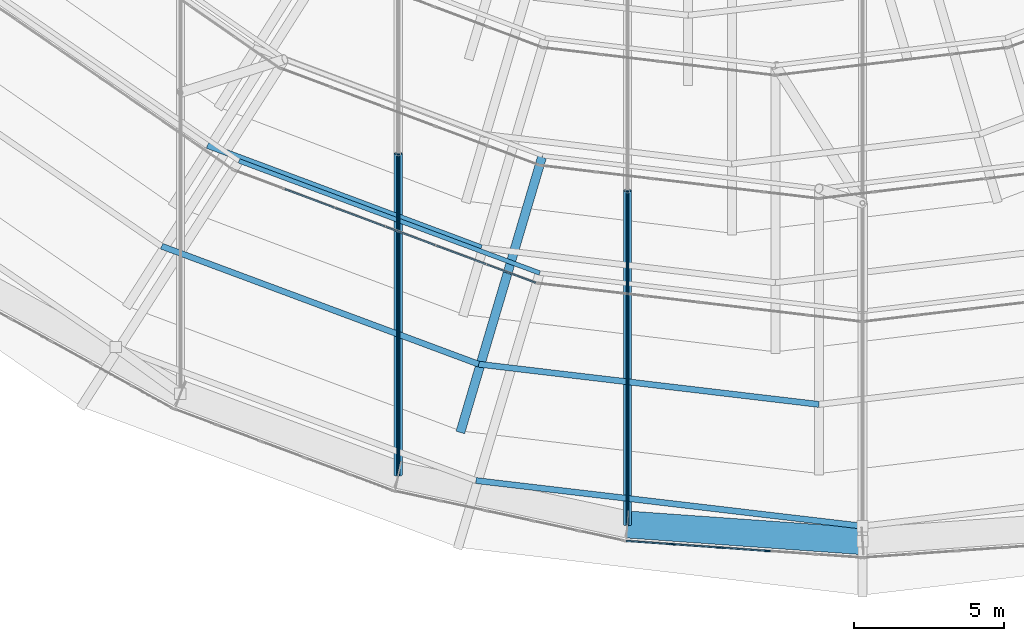
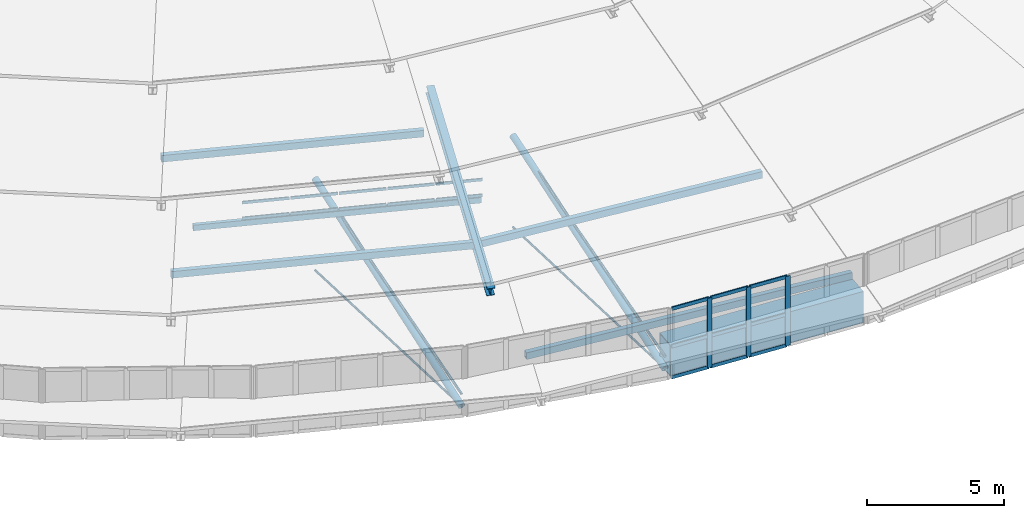
# One storey, part 10 of 173: 34 members, 1 beam, 2 elements without a shape of their own.
"""IFC4 building model written with IfcOpenShell, lengths in metres."""

from ifc_helpers import new_model, si_unit, direction, frame, origin, origin_2d, place, context, subcontext, project, spatial, rectangle, hollow_rectangle, circle, hollow_circle, i_section, extrude, material, material_profile, profile_set, type_object, element, aggregate, save


model = new_model("IFC4")

# Units and contexts
model_context = context("Model", 3, precision=1e-05, world=origin(), true_north=direction((0.0, 1.0)))
body_context = subcontext(model_context, "Body", "Model", "MODEL_VIEW")
ifc_project = project(units=[si_unit("LENGTHUNIT", "METRE"), si_unit("AREAUNIT", "SQUARE_METRE"), si_unit("VOLUMEUNIT", "CUBIC_METRE"), si_unit("PLANEANGLEUNIT", "RADIAN"), si_unit("MASSUNIT", "GRAM", prefix="KILO")], contexts=[model_context])

# Site, building, storey
site_placement = place(None, origin())
site = spatial("IfcSite", under=ifc_project, at=site_placement, CompositionType="ELEMENT")
building_placement = place(site_placement, origin())
building = spatial("IfcBuilding", under=site, at=building_placement, Name="Glasvene Arena", CompositionType="ELEMENT")
storey_placement = place(building_placement, frame((0.0, 0.0, 28.800048828125)))
storey = spatial("IfcBuildingStorey", under=building, at=storey_placement, Name="RF", CompositionType="ELEMENT", Elevation=28.800048828125)

# Beam
ifc_material_1 = material(Name="Steel S355J2", Category="steel")
ifc_material_profile_1 = material_profile(ifc_material_1, hollow_rectangle(XDim=0.89990234375, YDim=1.39990234375, WallThickness=0.034912109375, at=origin_2d()), Name="WBOX 900x1400x35")
ifc_profile_set_1 = profile_set([ifc_material_profile_1], Name="Steel S355J2")
beam_type = type_object("IfcBeamType", Name="BM-RING-BOX1400", PredefinedType="USERDEFINED", material=ifc_profile_set_1)
beam_placement = place(storey_placement, frame((84.17822265625, 28.553955078125, -0.699951171875), z_axis=(0.997501506622, -0.070645200029, 0.0), x_axis=(0.070645200029, 0.997501506622, 0.0)))
element("IfcBeam", 1, at=beam_placement, inside=storey, type_object=beam_type, Name="Compression ring beam chord RB-30", ObjectType="RING BEAM", PredefinedType="USERDEFINED", context=body_context, shape_type="SweptSolid", body=[
    extrude(hollow_rectangle(XDim=0.89990234375, YDim=1.39990234375, WallThickness=0.034912109375, at=origin_2d()), origin(), (0.0, 0.0, 1.0), 7.84130859375),
])

# Curtain wall, members
ifc_material_2 = material(Name="Low-emissivity laminated double glazing", Category="glass")
curtain_wall_type_1 = type_object("IfcCurtainWallType", Name="CW-DRUM-793x310", PredefinedType="USERDEFINED", material=ifc_material_2)
curtain_wall_1_placement = place(storey_placement, frame((84.09228515625, 28.0107421875, 0.0)))
curtain_wall_1 = element("IfcCurtainWall", 2, at=curtain_wall_1_placement, inside=storey, type_object=curtain_wall_type_1, Name="Crown compression-ring fascia curtain wall 30", ObjectType="CURTAIN WALL", PredefinedType="USERDEFINED")
ifc_material_3 = material(Name="Anodised architectural aluminium", Category="aluminium")
ifc_material_profile_2 = material_profile(ifc_material_3, rectangle(XDim=0.050048828125, YDim=0.199951171875, at=origin_2d()), Name="ALU MULLION 50x200")
ifc_profile_set_2 = profile_set([ifc_material_profile_2], Name="Anodised architectural aluminium")
member_type_1 = type_object("IfcMemberType", Name="CW-MUL-180", PredefinedType="MULLION", material=ifc_profile_set_2)
member_1_placement = place(storey_placement, frame((85.673828125, 27.898681640625, -1.380126953125), z_axis=(0.0, 0.0, 1.0), x_axis=(0.07073966092, 0.997494812204, 0.0)))
member_1 = element("IfcMember", 3, at=member_1_placement, type_object=member_type_1, Name="CW-080 mullion 2", PredefinedType="MULLION", context=body_context, shape_type="SweptSolid", body=[
    extrude(rectangle(XDim=0.050048828125, YDim=0.199951171875, at=origin_2d()), origin(), (0.0, 0.0, 1.0), 3.10009765625),
])
member_2_placement = place(storey_placement, frame((87.25537109375, 27.786376953125, -1.380126953125), z_axis=(0.0, 0.0, 1.0), x_axis=(0.07073966092, 0.997494812204, 0.0)))
member_2 = element("IfcMember", 4, at=member_2_placement, type_object=member_type_1, Name="CW-080 mullion 3", PredefinedType="MULLION", context=body_context, shape_type="SweptSolid", body=[
    extrude(rectangle(XDim=0.050048828125, YDim=0.199951171875, at=origin_2d()), origin(), (0.0, 0.0, 1.0), 3.10009765625),
])
member_3_placement = place(storey_placement, frame((88.8369140625, 27.67431640625, -1.380126953125), z_axis=(0.0, 0.0, 1.0), x_axis=(0.07073966092, 0.997494812204, 0.0)))
member_3 = element("IfcMember", 5, at=member_3_placement, type_object=member_type_1, Name="CW-080 mullion 4", PredefinedType="MULLION", context=body_context, shape_type="SweptSolid", body=[
    extrude(rectangle(XDim=0.050048828125, YDim=0.199951171875, at=origin_2d()), origin(), (0.0, 0.0, 1.0), 3.10009765625),
])

curtain_wall_type_2 = type_object("IfcCurtainWallType", Name="CW-PET1-1077x75", PredefinedType="USERDEFINED", material=ifc_material_2)
curtain_wall_2_placement = place(storey_placement, frame((71.074951171875, 40.350830078125, 0.0)))
curtain_wall_2 = element("IfcCurtainWall", 6, at=curtain_wall_2_placement, inside=storey, type_object=curtain_wall_type_2, Name="Petal ring 1-2 clerestory curtain wall 17", ObjectType="CURTAIN WALL", PredefinedType="USERDEFINED")
ifc_material_profile_3 = material_profile(ifc_material_3, rectangle(XDim=0.050048828125, YDim=0.1201171875, at=origin_2d()), Name="ALU TRANSOM 50x120")
ifc_profile_set_3 = profile_set([ifc_material_profile_3], Name="Anodised architectural aluminium")
member_type_2 = type_object("IfcMemberType", Name="CW-TRN-120", PredefinedType="USERDEFINED", material=ifc_profile_set_3)
member_4_placement = place(storey_placement, frame((72.78076171875, 39.71435546875, 2.60498046875), z_axis=(0.936914217078, -0.349559365255, 0.0), x_axis=(0.349559365255, 0.936914217078, 0.0)))
member_4 = element("IfcMember", 7, at=member_4_placement, type_object=member_type_2, Name="CW-085 transom 2.1", ObjectType="TRANSOM", PredefinedType="USERDEFINED", context=body_context, shape_type="SweptSolid", body=[
    extrude(rectangle(XDim=0.050048828125, YDim=0.1201171875, at=origin_2d()), origin(), (0.0, 0.0, 1.0), 1.745361328125),
])
member_5_placement = place(storey_placement, frame((72.78076171875, 39.71435546875, 3.304931640625), z_axis=(0.936914217078, -0.349559365255, 0.0), x_axis=(0.349559365255, 0.936914217078, 0.0)))
member_5 = element("IfcMember", 8, at=member_5_placement, type_object=member_type_2, Name="CW-085 transom 2.2", ObjectType="TRANSOM", PredefinedType="USERDEFINED", context=body_context, shape_type="SweptSolid", body=[
    extrude(rectangle(XDim=0.050048828125, YDim=0.1201171875, at=origin_2d()), origin(), (0.0, 0.0, 1.0), 1.745361328125),
])
member_6_placement = place(storey_placement, frame((74.462890625, 39.086669921875, 2.60498046875), z_axis=(0.936885499629, -0.349636326179, 0.0), x_axis=(0.349636326179, 0.936885499629, 0.0)))
member_6 = element("IfcMember", 9, at=member_6_placement, type_object=member_type_2, Name="CW-085 transom 3.1", ObjectType="TRANSOM", PredefinedType="USERDEFINED", context=body_context, shape_type="SweptSolid", body=[
    extrude(rectangle(XDim=0.050048828125, YDim=0.1201171875, at=origin_2d()), origin(), (0.0, 0.0, 1.0), 1.74560546875),
])
member_7_placement = place(storey_placement, frame((74.462890625, 39.086669921875, 3.304931640625), z_axis=(0.936885499629, -0.349636326179, 0.0), x_axis=(0.349636326179, 0.936885499629, 0.0)))
member_7 = element("IfcMember", 10, at=member_7_placement, type_object=member_type_2, Name="CW-085 transom 3.2", ObjectType="TRANSOM", PredefinedType="USERDEFINED", context=body_context, shape_type="SweptSolid", body=[
    extrude(rectangle(XDim=0.050048828125, YDim=0.1201171875, at=origin_2d()), origin(), (0.0, 0.0, 1.0), 1.74560546875),
])
member_8_placement = place(storey_placement, frame((76.14501953125, 38.458984375, 2.60498046875), z_axis=(0.936885499629, -0.349636326179, 0.0), x_axis=(0.349636326179, 0.936885499629, 0.0)))
member_8 = element("IfcMember", 11, at=member_8_placement, type_object=member_type_2, Name="CW-085 transom 4.1", ObjectType="TRANSOM", PredefinedType="USERDEFINED", context=body_context, shape_type="SweptSolid", body=[
    extrude(rectangle(XDim=0.050048828125, YDim=0.1201171875, at=origin_2d()), origin(), (0.0, 0.0, 1.0), 1.74560546875),
])
member_9_placement = place(storey_placement, frame((76.14501953125, 38.458984375, 3.304931640625), z_axis=(0.936885499629, -0.349636326179, 0.0), x_axis=(0.349636326179, 0.936885499629, 0.0)))
member_9 = element("IfcMember", 12, at=member_9_placement, type_object=member_type_2, Name="CW-085 transom 4.2", ObjectType="TRANSOM", PredefinedType="USERDEFINED", context=body_context, shape_type="SweptSolid", body=[
    extrude(rectangle(XDim=0.050048828125, YDim=0.1201171875, at=origin_2d()), origin(), (0.0, 0.0, 1.0), 1.74560546875),
])
member_10_placement = place(storey_placement, frame((77.827392578125, 37.831298828125, 2.60498046875), z_axis=(0.936868399673, -0.349682143802, 0.0), x_axis=(0.349682143802, 0.936868399673, 0.0)))
member_10 = element("IfcMember", 13, at=member_10_placement, type_object=member_type_2, Name="CW-085 transom 5.1", ObjectType="TRANSOM", PredefinedType="USERDEFINED", context=body_context, shape_type="SweptSolid", body=[
    extrude(rectangle(XDim=0.050048828125, YDim=0.1201171875, at=origin_2d()), origin(), (0.0, 0.0, 1.0), 1.745361328125),
])
member_11_placement = place(storey_placement, frame((77.827392578125, 37.831298828125, 3.304931640625), z_axis=(0.936868399673, -0.349682143802, 0.0), x_axis=(0.349682143802, 0.936868399673, 0.0)))
member_11 = element("IfcMember", 14, at=member_11_placement, type_object=member_type_2, Name="CW-085 transom 5.2", ObjectType="TRANSOM", PredefinedType="USERDEFINED", context=body_context, shape_type="SweptSolid", body=[
    extrude(rectangle(XDim=0.050048828125, YDim=0.1201171875, at=origin_2d()), origin(), (0.0, 0.0, 1.0), 1.745361328125),
])
member_12_placement = place(storey_placement, frame((79.509521484375, 37.20361328125, 2.60498046875), z_axis=(0.936893575356, -0.3496146857, 0.0), x_axis=(0.3496146857, 0.936893575356, 0.0)))
member_12 = element("IfcMember", 15, at=member_12_placement, type_object=member_type_2, Name="CW-085 transom 6.1", ObjectType="TRANSOM", PredefinedType="USERDEFINED", context=body_context, shape_type="SweptSolid", body=[
    extrude(rectangle(XDim=0.050048828125, YDim=0.1201171875, at=origin_2d()), origin(), (0.0, 0.0, 1.0), 1.720703125),
])
member_13_placement = place(storey_placement, frame((79.509521484375, 37.20361328125, 3.304931640625), z_axis=(0.936893575356, -0.3496146857, 0.0), x_axis=(0.3496146857, 0.936893575356, 0.0)))
member_13 = element("IfcMember", 16, at=member_13_placement, type_object=member_type_2, Name="CW-085 transom 6.2", ObjectType="TRANSOM", PredefinedType="USERDEFINED", context=body_context, shape_type="SweptSolid", body=[
    extrude(rectangle(XDim=0.050048828125, YDim=0.1201171875, at=origin_2d()), origin(), (0.0, 0.0, 1.0), 1.720703125),
])
aggregate(curtain_wall_2, [member_4, member_5, member_6, member_7, member_8, member_9, member_10, member_11, member_12, member_13])

# Member
ifc_material_profile_4 = material_profile(ifc_material_3, rectangle(XDim=0.050048828125, YDim=0.14990234375, at=origin_2d()), Name="ALU TRANSOM 50x150")
ifc_profile_set_4 = profile_set([ifc_material_profile_4], Name="Anodised architectural aluminium")
member_type_3 = type_object("IfcMemberType", Name="CW-TRN-150", PredefinedType="USERDEFINED", material=ifc_profile_set_4)
member_14_placement = place(storey_placement, frame((84.14208984375, 28.00732421875, -1.35498046875), z_axis=(0.997491409379, -0.070787627561, 0.0), x_axis=(0.070787627561, 0.997491409379, 0.0)))
member_14 = element("IfcMember", 17, at=member_14_placement, type_object=member_type_3, Name="CW-080 transom 1.1", ObjectType="TRANSOM", PredefinedType="USERDEFINED", context=body_context, shape_type="SweptSolid", body=[
    extrude(rectangle(XDim=0.050048828125, YDim=0.14990234375, at=origin_2d()), origin(), (0.0, 0.0, 1.0), 1.5107421875),
])

member_15_placement = place(storey_placement, frame((84.14208984375, 28.00732421875, 0.02001953125), z_axis=(0.997491409379, -0.070787627561, 0.0), x_axis=(0.070787627561, 0.997491409379, 0.0)))
member_15 = element("IfcMember", 18, at=member_15_placement, type_object=member_type_3, Name="CW-080 transom 1.2", ObjectType="TRANSOM", PredefinedType="USERDEFINED", context=body_context, shape_type="SweptSolid", body=[
    extrude(rectangle(XDim=0.050048828125, YDim=0.14990234375, at=origin_2d()), origin(), (0.0, 0.0, 1.0), 1.5107421875),
])

member_16_placement = place(storey_placement, frame((84.14208984375, 28.00732421875, 1.695068359375), z_axis=(0.997491409379, -0.070787627561, 0.0), x_axis=(0.070787627561, 0.997491409379, 0.0)))
member_16 = element("IfcMember", 19, at=member_16_placement, type_object=member_type_3, Name="CW-080 transom 1.3", ObjectType="TRANSOM", PredefinedType="USERDEFINED", context=body_context, shape_type="SweptSolid", body=[
    extrude(rectangle(XDim=0.050048828125, YDim=0.14990234375, at=origin_2d()), origin(), (0.0, 0.0, 1.0), 1.5107421875),
])

member_17_placement = place(storey_placement, frame((85.69873046875, 27.89697265625, -1.35498046875), z_axis=(0.997494086071, -0.070749899315, 0.0), x_axis=(0.070749899315, 0.997494086071, 0.0)))
member_17 = element("IfcMember", 20, at=member_17_placement, type_object=member_type_3, Name="CW-080 transom 2.1", ObjectType="TRANSOM", PredefinedType="USERDEFINED", context=body_context, shape_type="SweptSolid", body=[
    extrude(rectangle(XDim=0.050048828125, YDim=0.14990234375, at=origin_2d()), origin(), (0.0, 0.0, 1.0), 1.53564453125),
])

member_18_placement = place(storey_placement, frame((85.69873046875, 27.89697265625, 0.02001953125), z_axis=(0.997494086071, -0.070749899315, 0.0), x_axis=(0.070749899315, 0.997494086071, 0.0)))
member_18 = element("IfcMember", 21, at=member_18_placement, type_object=member_type_3, Name="CW-080 transom 2.2", ObjectType="TRANSOM", PredefinedType="USERDEFINED", context=body_context, shape_type="SweptSolid", body=[
    extrude(rectangle(XDim=0.050048828125, YDim=0.14990234375, at=origin_2d()), origin(), (0.0, 0.0, 1.0), 1.53564453125),
])

member_19_placement = place(storey_placement, frame((85.69873046875, 27.89697265625, 1.695068359375), z_axis=(0.997494086071, -0.070749899315, 0.0), x_axis=(0.070749899315, 0.997494086071, 0.0)))
member_19 = element("IfcMember", 22, at=member_19_placement, type_object=member_type_3, Name="CW-080 transom 2.3", ObjectType="TRANSOM", PredefinedType="USERDEFINED", context=body_context, shape_type="SweptSolid", body=[
    extrude(rectangle(XDim=0.050048828125, YDim=0.14990234375, at=origin_2d()), origin(), (0.0, 0.0, 1.0), 1.53564453125),
])

member_20_placement = place(storey_placement, frame((87.2802734375, 27.78466796875, -1.35498046875), z_axis=(0.997494086071, -0.070749899315, 0.0), x_axis=(0.070749899315, 0.997494086071, 0.0)))
member_20 = element("IfcMember", 23, at=member_20_placement, type_object=member_type_3, Name="CW-080 transom 3.1", ObjectType="TRANSOM", PredefinedType="USERDEFINED", context=body_context, shape_type="SweptSolid", body=[
    extrude(rectangle(XDim=0.050048828125, YDim=0.14990234375, at=origin_2d()), origin(), (0.0, 0.0, 1.0), 1.53564453125),
])

member_21_placement = place(storey_placement, frame((87.2802734375, 27.78466796875, 0.02001953125), z_axis=(0.997494086071, -0.070749899315, 0.0), x_axis=(0.070749899315, 0.997494086071, 0.0)))
member_21 = element("IfcMember", 24, at=member_21_placement, type_object=member_type_3, Name="CW-080 transom 3.2", ObjectType="TRANSOM", PredefinedType="USERDEFINED", context=body_context, shape_type="SweptSolid", body=[
    extrude(rectangle(XDim=0.050048828125, YDim=0.14990234375, at=origin_2d()), origin(), (0.0, 0.0, 1.0), 1.53564453125),
])

member_22_placement = place(storey_placement, frame((87.2802734375, 27.78466796875, 1.695068359375), z_axis=(0.997494086071, -0.070749899315, 0.0), x_axis=(0.070749899315, 0.997494086071, 0.0)))
member_22 = element("IfcMember", 25, at=member_22_placement, type_object=member_type_3, Name="CW-080 transom 3.3", ObjectType="TRANSOM", PredefinedType="USERDEFINED", context=body_context, shape_type="SweptSolid", body=[
    extrude(rectangle(XDim=0.050048828125, YDim=0.14990234375, at=origin_2d()), origin(), (0.0, 0.0, 1.0), 1.53564453125),
])

aggregate(curtain_wall_1, [member_1, member_2, member_3, member_14, member_15, member_16, member_17, member_18, member_19, member_20, member_21, member_22])

# Members
ifc_material_4 = material(Name="High-strength steel spiral strand S460", Category="steel")
ifc_material_profile_5 = material_profile(ifc_material_4, circle(Radius=0.052490234375, at=origin_2d()), Name="LCSS D105")
ifc_profile_set_5 = profile_set([ifc_material_profile_5], Name="High-strength steel spiral strand S460")
member_type_4 = type_object("IfcMemberType", Name="MB-CABLE-105", PredefinedType="USERDEFINED", material=ifc_profile_set_5)
member_23_placement = place(storey_placement, frame((84.17822265625, 28.553955078125, -0.780029296875), z_axis=(0.0, 0.963016961831, 0.269440774986), x_axis=(-1.0, 0.0, 0.0)))
element("IfcMember", 26, at=member_23_placement, inside=storey, type_object=member_type_4, Name="Upper lens roof cable NS06-01", ObjectType="ROOF CABLE", PredefinedType="USERDEFINED", context=body_context, shape_type="SweptSolid", body=[
    extrude(circle(Radius=0.052490234375, at=origin_2d()), origin(), (0.0, 0.0, 1.0), 11.538330078125),
])
member_24_placement = place(storey_placement, frame((76.54931640625, 30.202392578125, -0.780029296875), z_axis=(0.0, 0.960283937169, 0.279024658435), x_axis=(-1.0, 0.0, 0.0)))
element("IfcMember", 27, at=member_24_placement, inside=storey, type_object=member_type_4, Name="Upper lens roof cable NS07-01", ObjectType="ROOF CABLE", PredefinedType="USERDEFINED", context=body_context, shape_type="SweptSolid", body=[
    extrude(circle(Radius=0.052490234375, at=origin_2d()), origin(), (0.0, 0.0, 1.0), 11.14208984375),
])
ifc_material_profile_6 = material_profile(ifc_material_4, circle(Radius=0.044921875, at=origin_2d()), Name="LCSS D90")
ifc_profile_set_6 = profile_set([ifc_material_profile_6], Name="High-strength steel spiral strand S460")
member_type_5 = type_object("IfcMemberType", Name="MB-CABLE-90", PredefinedType="USERDEFINED", material=ifc_profile_set_6)
member_25_placement = place(storey_placement, frame((84.17822265625, 28.553955078125, -1.320068359375), z_axis=(0.0, 0.99924122713, -0.0389482991), x_axis=(-1.0, 0.0, 0.0)))
element("IfcMember", 28, at=member_25_placement, inside=storey, type_object=member_type_5, Name="Lower stabilization roof cable NS06-01", ObjectType="ROOF CABLE", PredefinedType="USERDEFINED", context=body_context, shape_type="SweptSolid", body=[
    extrude(circle(Radius=0.044921875, at=origin_2d()), origin(), (0.0, 0.0, 1.0), 11.1201171875),
])
member_26_placement = place(storey_placement, frame((76.54931640625, 30.202392578125, -1.320068359375), z_axis=(0.0, 0.999181723513, -0.040446055391), x_axis=(-1.0, 0.0, 0.0)))
element("IfcMember", 29, at=member_26_placement, inside=storey, type_object=member_type_5, Name="Lower stabilization roof cable NS07-01", ObjectType="ROOF CABLE", PredefinedType="USERDEFINED", context=body_context, shape_type="SweptSolid", body=[
    extrude(circle(Radius=0.044921875, at=origin_2d()), origin(), (0.0, 0.0, 1.0), 10.708251953125),
])
ifc_material_profile_7 = material_profile(ifc_material_1, i_section(OverallWidth=0.300048828125, OverallDepth=0.39990234375, WebThickness=0.013427734375, FlangeThickness=0.02392578125, FilletRadius=0.027099609375, at=origin_2d()), Name="HEB 400")
ifc_profile_set_7 = profile_set([ifc_material_profile_7], Name="Steel S355J2")
member_type_6 = type_object("IfcMemberType", Name="MB-CHORD-HEB400", PredefinedType="CHORD", material=ifc_profile_set_7)
member_27_placement = place(storey_placement, frame((78.63134765625, 31.66748046875, 2.14990234375), z_axis=(0.274770384297, 0.926301022448, 0.257813210922), x_axis=(-0.958710442156, 0.284384050364, 0.0)))
element("IfcMember", 30, at=member_27_placement, inside=storey, type_object=member_type_6, Name="Petal ring 2 radial rib 18", PredefinedType="CHORD", context=body_context, shape_type="SweptSolid", body=[
    extrude(i_section(OverallWidth=0.300048828125, OverallDepth=0.39990234375, WebThickness=0.013427734375, FlangeThickness=0.02392578125, FilletRadius=0.027099609375, at=origin_2d()), origin(), (0.0, 0.0, 1.0), 9.89111328125),
])
ifc_material_profile_8 = material_profile(ifc_material_1, hollow_rectangle(XDim=0.14990234375, YDim=0.25, WallThickness=0.010009765625, at=origin_2d()), Name="RHS 250x150x10.0")
ifc_profile_set_8 = profile_set([ifc_material_profile_8], Name="Steel S355J2")
member_type_7 = type_object("IfcMemberType", Name="MB-PURLIN-RHS250", PredefinedType="PURLIN", material=ifc_profile_set_8)
member_28_placement = place(storey_placement, frame((71.25, 40.65380859375, 2.181884765625), z_axis=(0.937010256553, -0.349301845279, 0.0), x_axis=(0.349301845279, 0.937010256553, 0.0)))
element("IfcMember", 31, at=member_28_placement, inside=storey, type_object=member_type_7, Name="Petal ring 1 ridge purlin 17", PredefinedType="PURLIN", context=body_context, shape_type="SweptSolid", body=[
    extrude(hollow_rectangle(XDim=0.14990234375, YDim=0.25, WallThickness=0.010009765625, at=origin_2d()), origin(), (0.0, 0.0, 1.0), 10.681884765625),
])
ifc_material_profile_9 = material_profile(ifc_material_1, hollow_rectangle(XDim=0.199951171875, YDim=0.300048828125, WallThickness=0.012451171875, at=origin_2d()), Name="RHS 300x200x12.5")
ifc_profile_set_9 = profile_set([ifc_material_profile_9], Name="Steel S355J2")
member_type_8 = type_object("IfcMemberType", Name="MB-PURLIN-RHS300", PredefinedType="PURLIN", material=ifc_profile_set_9)
member_29_placement = place(storey_placement, frame((79.13671875, 30.016357421875, 0.16748046875), z_axis=(0.993123429608, -0.117072001619, 0.0), x_axis=(0.117072001619, 0.993123429608, 0.0)))
element("IfcMember", 32, at=member_29_placement, inside=storey, type_object=member_type_8, Name="Petal ring 1 outer purlin 18", PredefinedType="PURLIN", context=body_context, shape_type="SweptSolid", body=[
    extrude(hollow_rectangle(XDim=0.199951171875, YDim=0.300048828125, WallThickness=0.012451171875, at=origin_2d()), origin(), (0.0, 0.0, 1.0), 12.952392578125),
])
member_30_placement = place(storey_placement, frame((68.675048828125, 37.815185546875, 2.728515625), z_axis=(0.937227949513, -0.348717321983, 0.0), x_axis=(0.348717321983, 0.937227949513, 0.0)))
element("IfcMember", 33, at=member_30_placement, inside=storey, type_object=member_type_8, Name="Petal ring 2 outer purlin 17", PredefinedType="PURLIN", context=body_context, shape_type="SweptSolid", body=[
    extrude(hollow_rectangle(XDim=0.199951171875, YDim=0.300048828125, WallThickness=0.012451171875, at=origin_2d()), origin(), (0.0, 0.0, 1.0), 11.258544921875),
])
member_31_placement = place(storey_placement, frame((79.226806640625, 33.88916015625, 2.728515625), z_axis=(0.993079536053, -0.117443752808, 0.0), x_axis=(0.117443752808, 0.993079536053, 0.0)))
element("IfcMember", 34, at=member_31_placement, inside=storey, type_object=member_type_8, Name="Petal ring 2 outer purlin 18", PredefinedType="PURLIN", context=body_context, shape_type="SweptSolid", body=[
    extrude(hollow_rectangle(XDim=0.199951171875, YDim=0.300048828125, WallThickness=0.012451171875, at=origin_2d()), origin(), (0.0, 0.0, 1.0), 11.402099609375),
])
member_32_placement = place(storey_placement, frame((70.199951171875, 41.16845703125, 5.33935546875), z_axis=(0.936742951678, -0.350018060221, 0.0), x_axis=(0.350018060221, 0.936742951678, 0.0)))
element("IfcMember", 35, at=member_32_placement, inside=storey, type_object=member_type_8, Name="Petal ring 3 outer purlin 17", PredefinedType="PURLIN", context=body_context, shape_type="SweptSolid", body=[
    extrude(hollow_rectangle(XDim=0.199951171875, YDim=0.300048828125, WallThickness=0.012451171875, at=origin_2d()), origin(), (0.0, 0.0, 1.0), 9.732421875),
])
ifc_material_profile_10 = material_profile(ifc_material_1, hollow_circle(Radius=0.136474609375, WallThickness=0.012451171875, at=origin_2d()), Name="CHS 273.0x12.5")
ifc_profile_set_10 = profile_set([ifc_material_profile_10], Name="Steel S355J2")
member_type_9 = type_object("IfcMemberType", Name="MB-WEB-CHS273", PredefinedType="BRACE", material=ifc_profile_set_10)
member_33_placement = place(storey_placement, frame((84.17822265625, 28.553955078125, -1.320068359375), z_axis=(0.0, 0.950082941287, 0.311997443378), x_axis=(-1.0, 0.0, 0.0)))
element("IfcMember", 36, at=member_33_placement, inside=storey, type_object=member_type_9, Name="Cable-truss diagonal web strut NS06-01", PredefinedType="BRACE", context=body_context, shape_type="SweptSolid", body=[
    extrude(hollow_circle(Radius=0.136474609375, WallThickness=0.012451171875, at=origin_2d()), origin(), (0.0, 0.0, 1.0), 11.6953125),
])
member_34_placement = place(storey_placement, frame((76.54931640625, 30.202392578125, -1.320068359375), z_axis=(0.0, 0.946472854932, 0.322783417908), x_axis=(-1.0, 0.0, 0.0)))
element("IfcMember", 37, at=member_34_placement, inside=storey, type_object=member_type_9, Name="Cable-truss diagonal web strut NS07-01", PredefinedType="BRACE", context=body_context, shape_type="SweptSolid", body=[
    extrude(hollow_circle(Radius=0.136474609375, WallThickness=0.012451171875, at=origin_2d()), origin(), (0.0, 0.0, 1.0), 11.304443359375),
])

save(model, "model.ifc")
